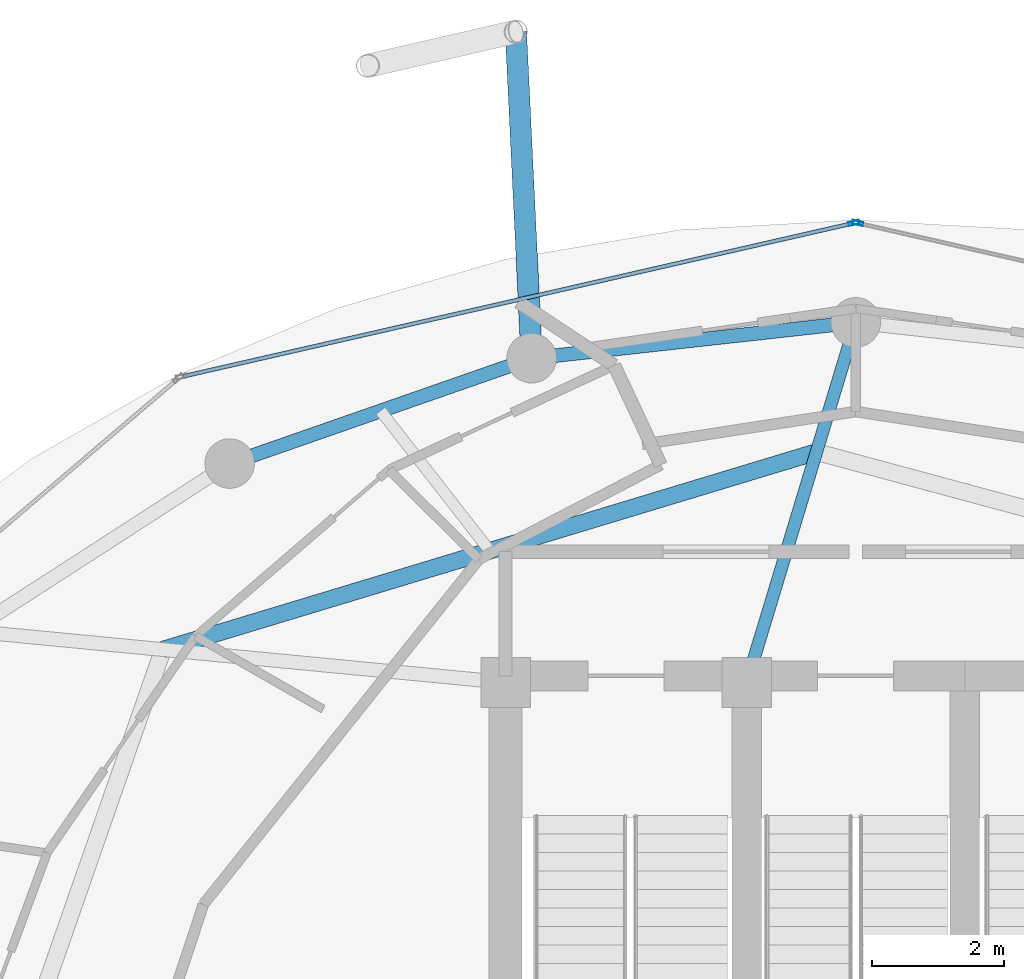
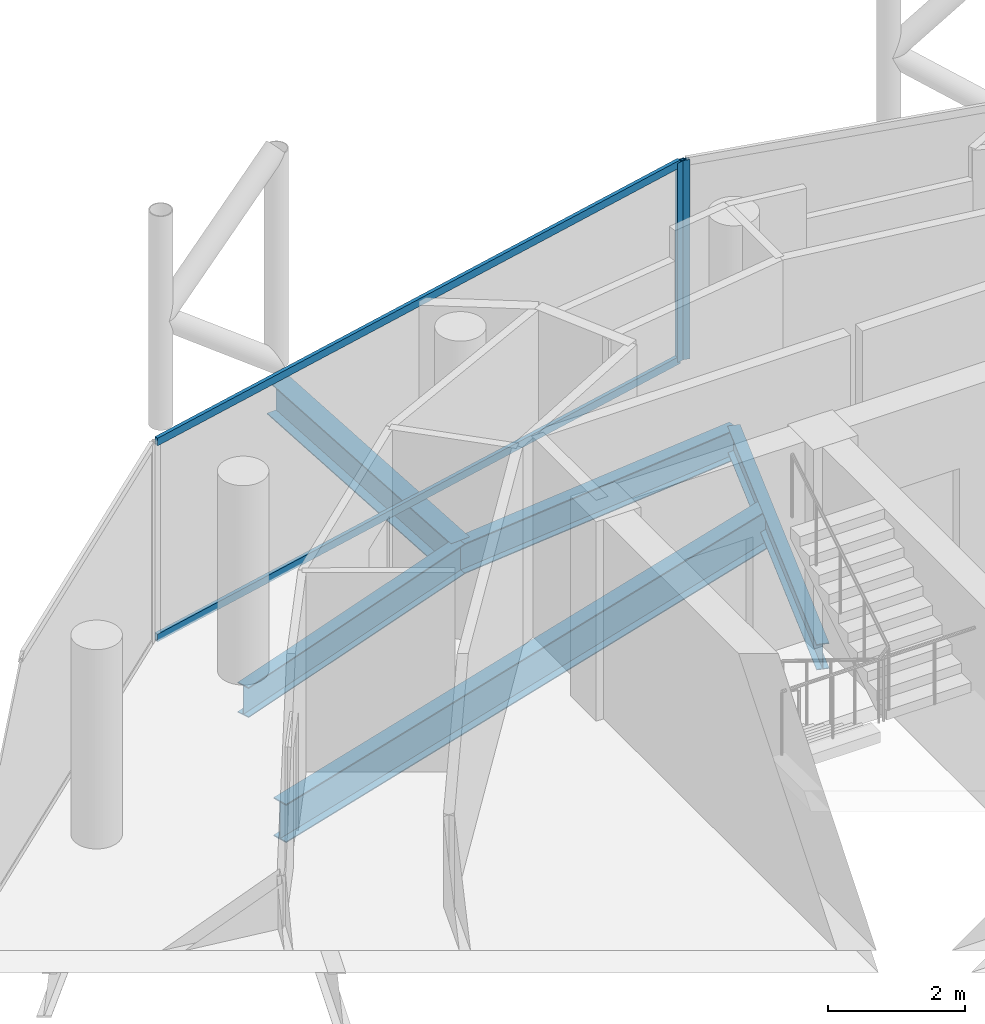
# One storey, part 16 of 24: 5 beams, 4 members, 2 elements without a shape of their own.
"""IFC4 building model written with IfcOpenShell, lengths in metres."""

from ifc_helpers import new_model, si_unit, direction, frame, origin, origin_2d, place, context, subcontext, project, spatial, hollow_rectangle, i_section, extrude, material, layer, layer_set, material_profile, profile_set, type_object, element, aggregate, save


model = new_model("IFC4")

# Units and contexts
model_context = context("Model", 3, precision=1e-05, world=origin(), true_north=direction((0.0, 1.0)))
body_context = subcontext(model_context, "Body", "Model", "MODEL_VIEW")
ifc_project = project(units=[si_unit("LENGTHUNIT", "METRE"), si_unit("AREAUNIT", "SQUARE_METRE"), si_unit("VOLUMEUNIT", "CUBIC_METRE"), si_unit("PLANEANGLEUNIT", "RADIAN"), si_unit("MASSUNIT", "GRAM", prefix="KILO")], contexts=[model_context])

# Site, building, storey
site_placement = place(None, origin())
site = spatial("IfcSite", under=ifc_project, at=site_placement, CompositionType="ELEMENT")
building_placement = place(site_placement, origin())
building = spatial("IfcBuilding", under=site, at=building_placement, Name="Nuhasar Tower", CompositionType="ELEMENT")
storey_placement = place(building_placement, frame((0.0, 0.0, 263.199951171875)))
storey = spatial("IfcBuildingStorey", under=building, at=storey_placement, Name="L65", CompositionType="ELEMENT", Elevation=263.199951171875)

# Beams
ifc_material_1 = material(Name="Steel S355", Category="steel")
ifc_material_profile_1 = material_profile(ifc_material_1, i_section(OverallWidth=0.25390625, OverallDepth=0.68408203125, WebThickness=0.012451171875, FlangeThickness=0.018798828125, at=origin_2d()), Name="W27X94")
ifc_profile_set_1 = profile_set([ifc_material_profile_1], Name="Steel S355")
beam_type_1 = type_object("IfcBeamType", Name="BM-INRING-W27X94", PredefinedType="BEAM", material=ifc_profile_set_1)
beam_1_placement = place(storey_placement, frame((38.406005859375, 40.7880859375, -0.60205078125), z_axis=(-0.957210818407, -0.289391515294, 0.0), x_axis=(0.289391515294, -0.957210818407, 0.0)))
element("IfcBeam", 1, at=beam_1_placement, inside=storey, type_object=beam_type_1, Name="L65 Inner Header Beam 06", PredefinedType="BEAM", context=body_context, shape_type="SweptSolid", body=[
    extrude(i_section(OverallWidth=0.25390625, OverallDepth=0.68408203125, WebThickness=0.012451171875, FlangeThickness=0.018798828125, at=origin_2d()), origin(), (0.0, 0.0, 1.0), 10.33203125),
])
ifc_material_profile_2 = material_profile(ifc_material_1, i_section(OverallWidth=0.18994140625, OverallDepth=0.45703125, WebThickness=0.009033203125, FlangeThickness=0.014404296875, at=origin_2d()), Name="W18X50")
ifc_profile_set_2 = profile_set([ifc_material_profile_2], Name="Steel S355")
beam_type_2 = type_object("IfcBeamType", Name="BM-RAD-W18X50", PredefinedType="BEAM", material=ifc_profile_set_2)
beam_2_placement = place(storey_placement, frame((37.35009765625, 37.300048828125, -0.488037109375), z_axis=(0.289750350206, 0.957102259195, 0.0), x_axis=(-0.957102259195, 0.289750350206, 0.0)))
element("IfcBeam", 2, at=beam_2_placement, inside=storey, type_object=beam_type_2, Name="L65 Radial Floor Girder 06", PredefinedType="BEAM", context=body_context, shape_type="SweptSolid", body=[
    extrude(i_section(OverallWidth=0.18994140625, OverallDepth=0.45703125, WebThickness=0.009033203125, FlangeThickness=0.014404296875, at=origin_2d()), origin(), (0.0, 0.0, 1.0), 5.6943359375),
])
ifc_material_profile_3 = material_profile(ifc_material_1, i_section(OverallWidth=0.2099609375, OverallDepth=0.537109375, WebThickness=0.010986328125, FlangeThickness=0.017333984375, at=origin_2d()), Name="W21X68")
ifc_profile_set_3 = profile_set([ifc_material_profile_3], Name="Steel S355")
beam_type_3 = type_object("IfcBeamType", Name="BM-RING-W21X68", PredefinedType="SPANDREL", material=ifc_profile_set_3)
beam_3_placement = place(storey_placement, frame((39.0, 42.75, -0.529052734375), z_axis=(-0.99392889943, -0.110024283128, 0.0), x_axis=(0.110024283128, -0.99392889943, 0.0)))
element("IfcBeam", 3, at=beam_3_placement, inside=storey, type_object=beam_type_3, Name="L65 Perimeter Ring Spandrel 07", PredefinedType="SPANDREL", context=body_context, shape_type="SweptSolid", body=[
    extrude(i_section(OverallWidth=0.2099609375, OverallDepth=0.537109375, WebThickness=0.010986328125, FlangeThickness=0.017333984375, at=origin_2d()), origin(), (0.0, 0.0, 1.0), 4.93505859375),
])
beam_4_placement = place(storey_placement, frame((34.094970703125, 42.20703125, -0.529052734375), z_axis=(-0.944214043504, -0.329332415729, 0.0), x_axis=(0.329332415729, -0.944214043504, 0.0)))
element("IfcBeam", 4, at=beam_4_placement, inside=storey, type_object=beam_type_3, Name="L65 Perimeter Ring Spandrel 08", PredefinedType="SPANDREL", context=body_context, shape_type="SweptSolid", body=[
    extrude(i_section(OverallWidth=0.2099609375, OverallDepth=0.537109375, WebThickness=0.010986328125, FlangeThickness=0.017333984375, at=origin_2d()), origin(), (0.0, 0.0, 1.0), 4.840087890625),
])
ifc_material_profile_4 = material_profile(ifc_material_1, i_section(OverallWidth=0.323974609375, OverallDepth=0.611083984375, WebThickness=0.0126953125, FlangeThickness=0.01904296875, at=origin_2d()), Name="W24X104")
ifc_profile_set_4 = profile_set([ifc_material_profile_4], Name="Steel S355")
beam_type_4 = type_object("IfcBeamType", Name="BM-TIE-W24X104", PredefinedType="BEAM", material=ifc_profile_set_4)
beam_5_placement = place(storey_placement, frame((34.094970703125, 42.20703125, -0.56494140625), z_axis=(-0.048111398417, 0.998841976162, 0.0), x_axis=(-0.998841976162, -0.048111398417, 0.0)))
element("IfcBeam", 5, at=beam_5_placement, inside=storey, type_object=beam_type_4, Name="L65 Exoskeleton Node Tie Beam 04", PredefinedType="BEAM", context=body_context, shape_type="SweptSolid", body=[
    extrude(i_section(OverallWidth=0.323974609375, OverallDepth=0.611083984375, WebThickness=0.0126953125, FlangeThickness=0.01904296875, at=origin_2d()), origin(), (0.0, 0.0, 1.0), 4.947509765625),
])

# Curtain wall, member
ifc_material_2 = material(Name="Aluminium 6063-T6", Category="aluminium")
ifc_layer = layer(ifc_material_2, 0.18994140625)
ifc_layer_set = layer_set([ifc_layer], Name="Aluminium 6063-T6")
curtain_wall_type = type_object("IfcCurtainWallType", Name="CW-Z4-PEN", PredefinedType="NOTDEFINED", material=ifc_layer_set)
curtain_wall_1_placement = place(storey_placement, origin())
curtain_wall_1 = element("IfcCurtainWall", 6, at=curtain_wall_1_placement, inside=storey, type_object=curtain_wall_type, Name="L65 Unitised Curtain Wall 03", PredefinedType="NOTDEFINED")
ifc_material_profile_5 = material_profile(ifc_material_2, hollow_rectangle(XDim=0.06005859375, YDim=0.1650390625, WallThickness=0.0048828125, at=origin_2d()), Name="CWM-5")
ifc_profile_set_5 = profile_set([ifc_material_profile_5], Name="Aluminium 6063-T6")
member_type_1 = type_object("IfcMemberType", Name="CW-MUL-S5", PredefinedType="MULLION", material=ifc_profile_set_5)
member_1_placement = place(storey_placement, frame((39.029296875, 44.25341796875, 0.0), z_axis=(0.0, 0.0, 1.0), x_axis=(-0.222889487645, -0.97484371891, 0.0)))
member_1 = element("IfcMember", 7, at=member_1_placement, type_object=member_type_1, Name="CW-Z4 mullion 2", PredefinedType="MULLION", context=body_context, shape_type="SweptSolid", body=[
    extrude(hollow_rectangle(XDim=0.06005859375, YDim=0.1650390625, WallThickness=0.0048828125, at=origin_2d()), origin(), (0.0, 0.0, 1.0), 3.5400390625),
])
aggregate(curtain_wall_1, [member_1])

# Curtain wall, members
curtain_wall_2_placement = place(storey_placement, origin())
curtain_wall_2 = element("IfcCurtainWall", 8, at=curtain_wall_2_placement, inside=storey, type_object=curtain_wall_type, Name="L65 Unitised Curtain Wall 04", PredefinedType="NOTDEFINED")
member_2_placement = place(storey_placement, frame((38.970703125, 44.25341796875, 0.0), z_axis=(0.0, 0.0, 1.0), x_axis=(0.222889487645, -0.97484371891, 0.0)))
member_2 = element("IfcMember", 9, at=member_2_placement, type_object=member_type_1, Name="CW-Z4 mullion 1", PredefinedType="MULLION", context=body_context, shape_type="SweptSolid", body=[
    extrude(hollow_rectangle(XDim=0.06005859375, YDim=0.1650390625, WallThickness=0.0048828125, at=origin_2d()), origin(), (0.0, 0.0, 1.0), 3.5400390625),
])
ifc_material_profile_6 = material_profile(ifc_material_2, hollow_rectangle(XDim=0.06005859375, YDim=0.135009765625, WallThickness=0.00439453125, at=origin_2d()), Name="CWT-5")
ifc_profile_set_6 = profile_set([ifc_material_profile_6], Name="Aluminium 6063-T6")
member_type_2 = type_object("IfcMemberType", Name="CW-TRN-S5", PredefinedType="USERDEFINED", material=ifc_profile_set_6)
member_3_placement = place(storey_placement, frame((38.94140625, 44.24658203125, 0.030029296875), z_axis=(-0.974843752401, -0.222889341163, 0.0), x_axis=(0.222889341163, -0.974843752401, 0.0)))
member_3 = element("IfcMember", 10, at=member_3_placement, type_object=member_type_2, Name="CW-Z4 transom 1.1", ObjectType="TRANSOM", PredefinedType="USERDEFINED", context=body_context, shape_type="SweptSolid", body=[
    extrude(hollow_rectangle(XDim=0.06005859375, YDim=0.135009765625, WallThickness=0.00439453125, at=origin_2d()), origin(), (0.0, 0.0, 1.0), 10.3740234375),
])
member_4_placement = place(storey_placement, frame((38.94140625, 44.24658203125, 3.510009765625), z_axis=(-0.974843752401, -0.222889341163, 0.0), x_axis=(0.222889341163, -0.974843752401, 0.0)))
member_4 = element("IfcMember", 11, at=member_4_placement, type_object=member_type_2, Name="CW-Z4 transom 1.2", ObjectType="TRANSOM", PredefinedType="USERDEFINED", context=body_context, shape_type="SweptSolid", body=[
    extrude(hollow_rectangle(XDim=0.06005859375, YDim=0.135009765625, WallThickness=0.00439453125, at=origin_2d()), origin(), (0.0, 0.0, 1.0), 10.3740234375),
])
aggregate(curtain_wall_2, [member_2, member_3, member_4])

save(model, "model.ifc")
